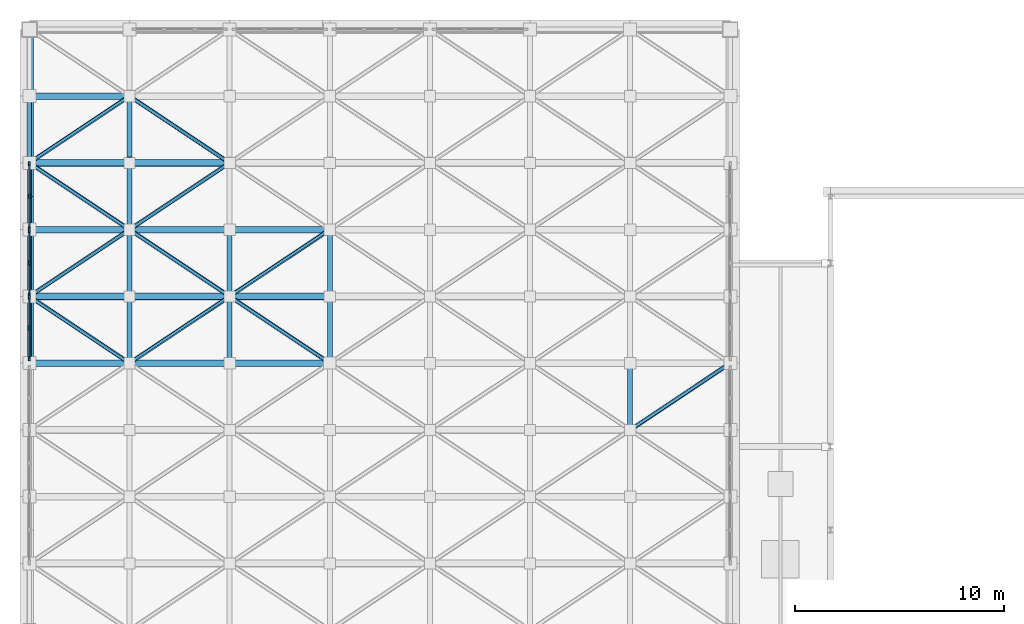
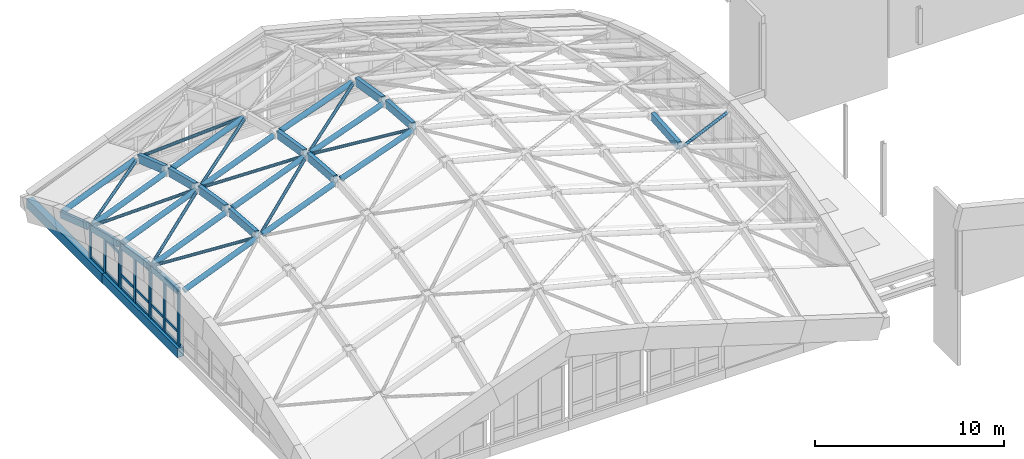
# One storey, part 5 of 14: 61 members, 2 beams, 3 elements without a shape of their own.
"""IFC4 building model written with IfcOpenShell, lengths in metres."""

from ifc_helpers import new_model, si_unit, direction, frame, origin, origin_2d, place, context, subcontext, project, spatial, rectangle, hollow_rectangle, hollow_circle, extrude, material, material_profile, profile_set, type_object, element, aggregate, save


model = new_model("IFC4")

# Units and contexts
model_context = context("Model", 3, precision=1e-05, world=origin(), true_north=direction((0.0, 1.0)))
body_context = subcontext(model_context, "Body", "Model", "MODEL_VIEW")
ifc_project = project(units=[si_unit("LENGTHUNIT", "METRE"), si_unit("AREAUNIT", "SQUARE_METRE"), si_unit("VOLUMEUNIT", "CUBIC_METRE"), si_unit("PLANEANGLEUNIT", "RADIAN"), si_unit("MASSUNIT", "GRAM", prefix="KILO")], contexts=[model_context])

# Site, building, storey
site_placement = place(None, origin())
site = spatial("IfcSite", under=ifc_project, at=site_placement, CompositionType="ELEMENT")
building_placement = place(site_placement, origin())
building = spatial("IfcBuilding", under=site, at=building_placement, Name="Dunescarp Central Library", CompositionType="ELEMENT")
storey_placement = place(building_placement, frame((0.0, 0.0, 31.800048828125)))
storey = spatial("IfcBuildingStorey", under=building, at=storey_placement, Name="ROOF", CompositionType="ELEMENT", Elevation=31.800048828125)

# Curtain wall, members
ifc_material_1 = material(Name="Marine-grade anodised aluminium 6063-T6", Category="aluminium")
curtain_wall_type = type_object("IfcCurtainWallType", Name="ARC-CW-CROWN", PredefinedType="NOTDEFINED", material=ifc_material_1)
curtain_wall_1_placement = place(storey_placement, origin())
curtain_wall_1 = element("IfcCurtainWall", 1, at=curtain_wall_1_placement, inside=storey, type_object=curtain_wall_type, Name="ROOF curtain wall CW-CROWN-W6", PredefinedType="NOTDEFINED")
ifc_material_profile_1 = material_profile(ifc_material_1, rectangle(XDim=0.090087890625, YDim=0.199951171875, at=origin_2d()), Name="AL 90x200")
ifc_profile_set_1 = profile_set([ifc_material_profile_1], Name="Marine-grade anodised aluminium 6063-T6")
member_type_1 = type_object("IfcMemberType", Name="ARC-CWM-200", PredefinedType="MULLION", material=ifc_profile_set_1)
member_1_placement = place(storey_placement, frame((0.0, 21.02001953125, 0.0), z_axis=(0.0, 0.0, 1.0), x_axis=(-1.0, 0.0, 0.0)))
member_1 = element("IfcMember", 2, at=member_1_placement, type_object=member_type_1, Name="CW-CROWN-W6 mullion 1", PredefinedType="MULLION", context=body_context, shape_type="SweptSolid", body=[
    extrude(rectangle(XDim=0.090087890625, YDim=0.199951171875, at=origin_2d()), origin(), (0.0, 0.0, 1.0), 3.56005859375),
])
member_2_placement = place(storey_placement, frame((0.0, 22.487548828125, 0.0), z_axis=(0.0, 0.0, 1.0), x_axis=(-1.0, 0.0, 0.0)))
member_2 = element("IfcMember", 3, at=member_2_placement, type_object=member_type_1, Name="CW-CROWN-W6 mullion 2", PredefinedType="MULLION", context=body_context, shape_type="SweptSolid", body=[
    extrude(rectangle(XDim=0.090087890625, YDim=0.199951171875, at=origin_2d()), origin(), (0.0, 0.0, 1.0), 3.56005859375),
])
member_3_placement = place(storey_placement, frame((0.0, 23.955078125, 0.0), z_axis=(0.0, 0.0, 1.0), x_axis=(-1.0, 0.0, 0.0)))
member_3 = element("IfcMember", 4, at=member_3_placement, type_object=member_type_1, Name="CW-CROWN-W6 mullion 3", PredefinedType="MULLION", context=body_context, shape_type="SweptSolid", body=[
    extrude(rectangle(XDim=0.090087890625, YDim=0.199951171875, at=origin_2d()), origin(), (0.0, 0.0, 1.0), 3.56005859375),
])

curtain_wall_2_placement = place(storey_placement, origin())
curtain_wall_2 = element("IfcCurtainWall", 5, at=curtain_wall_2_placement, inside=storey, type_object=curtain_wall_type, Name="ROOF curtain wall CW-CROWN-W7", PredefinedType="NOTDEFINED")
member_4_placement = place(storey_placement, frame((0.0, 24.044921875, 0.0), z_axis=(0.0, 0.0, 1.0), x_axis=(-1.0, 0.0, 0.0)))
member_4 = element("IfcMember", 6, at=member_4_placement, type_object=member_type_1, Name="CW-CROWN-W7 mullion 1", PredefinedType="MULLION", context=body_context, shape_type="SweptSolid", body=[
    extrude(rectangle(XDim=0.090087890625, YDim=0.199951171875, at=origin_2d()), origin(), (0.0, 0.0, 1.0), 3.0400390625),
])
member_5_placement = place(storey_placement, frame((0.0, 25.60009765625, 0.0), z_axis=(0.0, 0.0, 1.0), x_axis=(-1.0, 0.0, 0.0)))
member_5 = element("IfcMember", 7, at=member_5_placement, type_object=member_type_1, Name="CW-CROWN-W7 mullion 2", PredefinedType="MULLION", context=body_context, shape_type="SweptSolid", body=[
    extrude(rectangle(XDim=0.090087890625, YDim=0.199951171875, at=origin_2d()), origin(), (0.0, 0.0, 1.0), 3.0400390625),
])
member_6_placement = place(storey_placement, frame((0.0, 27.155029296875, 0.0), z_axis=(0.0, 0.0, 1.0), x_axis=(-1.0, 0.0, 0.0)))
member_6 = element("IfcMember", 8, at=member_6_placement, type_object=member_type_1, Name="CW-CROWN-W7 mullion 3", PredefinedType="MULLION", context=body_context, shape_type="SweptSolid", body=[
    extrude(rectangle(XDim=0.090087890625, YDim=0.199951171875, at=origin_2d()), origin(), (0.0, 0.0, 1.0), 3.0400390625),
])

curtain_wall_3_placement = place(storey_placement, origin())
curtain_wall_3 = element("IfcCurtainWall", 9, at=curtain_wall_3_placement, inside=storey, type_object=curtain_wall_type, Name="ROOF curtain wall CW-CROWN-W8", PredefinedType="NOTDEFINED")
member_7_placement = place(storey_placement, frame((0.0, 27.2451171875, 0.0), z_axis=(0.0, 0.0, 1.0), x_axis=(-1.0, 0.0, 0.0)))
member_7 = element("IfcMember", 10, at=member_7_placement, type_object=member_type_1, Name="CW-CROWN-W8 mullion 1", PredefinedType="MULLION", context=body_context, shape_type="SweptSolid", body=[
    extrude(rectangle(XDim=0.090087890625, YDim=0.199951171875, at=origin_2d()), origin(), (0.0, 0.0, 1.0), 2.239990234375),
])
member_8_placement = place(storey_placement, frame((0.0, 28.800048828125, 0.0), z_axis=(0.0, 0.0, 1.0), x_axis=(-1.0, 0.0, 0.0)))
member_8 = element("IfcMember", 11, at=member_8_placement, type_object=member_type_1, Name="CW-CROWN-W8 mullion 2", PredefinedType="MULLION", context=body_context, shape_type="SweptSolid", body=[
    extrude(rectangle(XDim=0.090087890625, YDim=0.199951171875, at=origin_2d()), origin(), (0.0, 0.0, 1.0), 2.239990234375),
])
member_9_placement = place(storey_placement, frame((0.0, 30.35498046875, 0.0), z_axis=(0.0, 0.0, 1.0), x_axis=(-1.0, 0.0, 0.0)))
member_9 = element("IfcMember", 12, at=member_9_placement, type_object=member_type_1, Name="CW-CROWN-W8 mullion 3", PredefinedType="MULLION", context=body_context, shape_type="SweptSolid", body=[
    extrude(rectangle(XDim=0.090087890625, YDim=0.199951171875, at=origin_2d()), origin(), (0.0, 0.0, 1.0), 2.239990234375),
])

# Member
ifc_material_profile_2 = material_profile(ifc_material_1, rectangle(XDim=0.080078125, YDim=0.169921875, at=origin_2d()), Name="AL 80x170")
ifc_profile_set_2 = profile_set([ifc_material_profile_2], Name="Marine-grade anodised aluminium 6063-T6")
member_type_2 = type_object("IfcMemberType", Name="ARC-CWT-170", PredefinedType="USERDEFINED", material=ifc_profile_set_2)
member_10_placement = place(storey_placement, frame((0.0, 21.06494140625, 0.0400390625), z_axis=(0.0, 1.0, 0.0), x_axis=(-1.0, 0.0, 0.0)))
member_10 = element("IfcMember", 13, at=member_10_placement, type_object=member_type_2, Name="CW-CROWN-W6 transom 1.1", ObjectType="TRANSOM", PredefinedType="USERDEFINED", context=body_context, shape_type="SweptSolid", body=[
    extrude(rectangle(XDim=0.080078125, YDim=0.169921875, at=origin_2d()), origin(), (0.0, 0.0, 1.0), 1.37744140625),
])

member_11_placement = place(storey_placement, frame((0.0, 21.06494140625, 0.89990234375), z_axis=(0.0, 1.0, 0.0), x_axis=(-1.0, 0.0, 0.0)))
member_11 = element("IfcMember", 14, at=member_11_placement, type_object=member_type_2, Name="CW-CROWN-W6 transom 1.2", ObjectType="TRANSOM", PredefinedType="USERDEFINED", context=body_context, shape_type="SweptSolid", body=[
    extrude(rectangle(XDim=0.080078125, YDim=0.169921875, at=origin_2d()), origin(), (0.0, 0.0, 1.0), 1.37744140625),
])

member_12_placement = place(storey_placement, frame((0.0, 21.06494140625, 3.52001953125), z_axis=(0.0, 1.0, 0.0), x_axis=(-1.0, 0.0, 0.0)))
member_12 = element("IfcMember", 15, at=member_12_placement, type_object=member_type_2, Name="CW-CROWN-W6 transom 1.3", ObjectType="TRANSOM", PredefinedType="USERDEFINED", context=body_context, shape_type="SweptSolid", body=[
    extrude(rectangle(XDim=0.080078125, YDim=0.169921875, at=origin_2d()), origin(), (0.0, 0.0, 1.0), 1.37744140625),
])

member_13_placement = place(storey_placement, frame((0.0, 22.532470703125, 0.0400390625), z_axis=(0.0, 1.0, 0.0), x_axis=(-1.0, 0.0, 0.0)))
member_13 = element("IfcMember", 16, at=member_13_placement, type_object=member_type_2, Name="CW-CROWN-W6 transom 2.1", ObjectType="TRANSOM", PredefinedType="USERDEFINED", context=body_context, shape_type="SweptSolid", body=[
    extrude(rectangle(XDim=0.080078125, YDim=0.169921875, at=origin_2d()), origin(), (0.0, 0.0, 1.0), 1.37744140625),
])

member_14_placement = place(storey_placement, frame((0.0, 22.532470703125, 0.89990234375), z_axis=(0.0, 1.0, 0.0), x_axis=(-1.0, 0.0, 0.0)))
member_14 = element("IfcMember", 17, at=member_14_placement, type_object=member_type_2, Name="CW-CROWN-W6 transom 2.2", ObjectType="TRANSOM", PredefinedType="USERDEFINED", context=body_context, shape_type="SweptSolid", body=[
    extrude(rectangle(XDim=0.080078125, YDim=0.169921875, at=origin_2d()), origin(), (0.0, 0.0, 1.0), 1.37744140625),
])

member_15_placement = place(storey_placement, frame((0.0, 22.532470703125, 3.52001953125), z_axis=(0.0, 1.0, 0.0), x_axis=(-1.0, 0.0, 0.0)))
member_15 = element("IfcMember", 18, at=member_15_placement, type_object=member_type_2, Name="CW-CROWN-W6 transom 2.3", ObjectType="TRANSOM", PredefinedType="USERDEFINED", context=body_context, shape_type="SweptSolid", body=[
    extrude(rectangle(XDim=0.080078125, YDim=0.169921875, at=origin_2d()), origin(), (0.0, 0.0, 1.0), 1.37744140625),
])

aggregate(curtain_wall_1, [member_1, member_2, member_3, member_10, member_11, member_12, member_13, member_14, member_15])

member_16_placement = place(storey_placement, frame((0.0, 24.090087890625, 0.0400390625), z_axis=(0.0, 1.0, 0.0), x_axis=(-1.0, 0.0, 0.0)))
member_16 = element("IfcMember", 19, at=member_16_placement, type_object=member_type_2, Name="CW-CROWN-W7 transom 1.1", ObjectType="TRANSOM", PredefinedType="USERDEFINED", context=body_context, shape_type="SweptSolid", body=[
    extrude(rectangle(XDim=0.080078125, YDim=0.169921875, at=origin_2d()), origin(), (0.0, 0.0, 1.0), 1.46484375),
])

member_17_placement = place(storey_placement, frame((0.0, 24.090087890625, 0.89990234375), z_axis=(0.0, 1.0, 0.0), x_axis=(-1.0, 0.0, 0.0)))
member_17 = element("IfcMember", 20, at=member_17_placement, type_object=member_type_2, Name="CW-CROWN-W7 transom 1.2", ObjectType="TRANSOM", PredefinedType="USERDEFINED", context=body_context, shape_type="SweptSolid", body=[
    extrude(rectangle(XDim=0.080078125, YDim=0.169921875, at=origin_2d()), origin(), (0.0, 0.0, 1.0), 1.46484375),
])

member_18_placement = place(storey_placement, frame((0.0, 24.090087890625, 3.0), z_axis=(0.0, 1.0, 0.0), x_axis=(-1.0, 0.0, 0.0)))
member_18 = element("IfcMember", 21, at=member_18_placement, type_object=member_type_2, Name="CW-CROWN-W7 transom 1.3", ObjectType="TRANSOM", PredefinedType="USERDEFINED", context=body_context, shape_type="SweptSolid", body=[
    extrude(rectangle(XDim=0.080078125, YDim=0.169921875, at=origin_2d()), origin(), (0.0, 0.0, 1.0), 1.46484375),
])

member_19_placement = place(storey_placement, frame((0.0, 25.64501953125, 0.0400390625), z_axis=(0.0, 1.0, 0.0), x_axis=(-1.0, 0.0, 0.0)))
member_19 = element("IfcMember", 22, at=member_19_placement, type_object=member_type_2, Name="CW-CROWN-W7 transom 2.1", ObjectType="TRANSOM", PredefinedType="USERDEFINED", context=body_context, shape_type="SweptSolid", body=[
    extrude(rectangle(XDim=0.080078125, YDim=0.169921875, at=origin_2d()), origin(), (0.0, 0.0, 1.0), 1.465087890625),
])

member_20_placement = place(storey_placement, frame((0.0, 25.64501953125, 0.89990234375), z_axis=(0.0, 1.0, 0.0), x_axis=(-1.0, 0.0, 0.0)))
member_20 = element("IfcMember", 23, at=member_20_placement, type_object=member_type_2, Name="CW-CROWN-W7 transom 2.2", ObjectType="TRANSOM", PredefinedType="USERDEFINED", context=body_context, shape_type="SweptSolid", body=[
    extrude(rectangle(XDim=0.080078125, YDim=0.169921875, at=origin_2d()), origin(), (0.0, 0.0, 1.0), 1.465087890625),
])

member_21_placement = place(storey_placement, frame((0.0, 25.64501953125, 3.0), z_axis=(0.0, 1.0, 0.0), x_axis=(-1.0, 0.0, 0.0)))
member_21 = element("IfcMember", 24, at=member_21_placement, type_object=member_type_2, Name="CW-CROWN-W7 transom 2.3", ObjectType="TRANSOM", PredefinedType="USERDEFINED", context=body_context, shape_type="SweptSolid", body=[
    extrude(rectangle(XDim=0.080078125, YDim=0.169921875, at=origin_2d()), origin(), (0.0, 0.0, 1.0), 1.465087890625),
])

aggregate(curtain_wall_2, [member_4, member_5, member_6, member_16, member_17, member_18, member_19, member_20, member_21])

member_22_placement = place(storey_placement, frame((0.0, 27.2900390625, 0.0400390625), z_axis=(0.0, 1.0, 0.0), x_axis=(-1.0, 0.0, 0.0)))
member_22 = element("IfcMember", 25, at=member_22_placement, type_object=member_type_2, Name="CW-CROWN-W8 transom 1.1", ObjectType="TRANSOM", PredefinedType="USERDEFINED", context=body_context, shape_type="SweptSolid", body=[
    extrude(rectangle(XDim=0.080078125, YDim=0.169921875, at=origin_2d()), origin(), (0.0, 0.0, 1.0), 1.46484375),
])

member_23_placement = place(storey_placement, frame((0.0, 27.2900390625, 2.199951171875), z_axis=(0.0, 1.0, 0.0), x_axis=(-1.0, 0.0, 0.0)))
member_23 = element("IfcMember", 26, at=member_23_placement, type_object=member_type_2, Name="CW-CROWN-W8 transom 1.2", ObjectType="TRANSOM", PredefinedType="USERDEFINED", context=body_context, shape_type="SweptSolid", body=[
    extrude(rectangle(XDim=0.080078125, YDim=0.169921875, at=origin_2d()), origin(), (0.0, 0.0, 1.0), 1.46484375),
])

member_24_placement = place(storey_placement, frame((0.0, 28.844970703125, 0.0400390625), z_axis=(0.0, 1.0, 0.0), x_axis=(-1.0, 0.0, 0.0)))
member_24 = element("IfcMember", 27, at=member_24_placement, type_object=member_type_2, Name="CW-CROWN-W8 transom 2.1", ObjectType="TRANSOM", PredefinedType="USERDEFINED", context=body_context, shape_type="SweptSolid", body=[
    extrude(rectangle(XDim=0.080078125, YDim=0.169921875, at=origin_2d()), origin(), (0.0, 0.0, 1.0), 1.465087890625),
])

member_25_placement = place(storey_placement, frame((0.0, 28.844970703125, 2.199951171875), z_axis=(0.0, 1.0, 0.0), x_axis=(-1.0, 0.0, 0.0)))
member_25 = element("IfcMember", 28, at=member_25_placement, type_object=member_type_2, Name="CW-CROWN-W8 transom 2.2", ObjectType="TRANSOM", PredefinedType="USERDEFINED", context=body_context, shape_type="SweptSolid", body=[
    extrude(rectangle(XDim=0.080078125, YDim=0.169921875, at=origin_2d()), origin(), (0.0, 0.0, 1.0), 1.465087890625),
])

aggregate(curtain_wall_3, [member_7, member_8, member_9, member_22, member_23, member_24, member_25])

# Members
ifc_material_2 = material(Name="Steel S355J0", Category="steel")
ifc_material_profile_3 = material_profile(ifc_material_2, hollow_circle(Radius=0.161865234375, WallThickness=0.012451171875, at=origin_2d()), Name="CHS 323.9x12.5")
ifc_profile_set_3 = profile_set([ifc_material_profile_3], Name="Steel S355J0")
member_type_3 = type_object("IfcMemberType", Name="STR-GS-ARCH", PredefinedType="USERDEFINED", material=ifc_profile_set_3)
member_26_placement = place(storey_placement, frame((0.18505859375, 20.800048828125, 3.635009765625), z_axis=(0.926438199705, 0.0, 0.376446891509), x_axis=(0.0, 1.0, 0.0)))
element("IfcMember", 29, at=member_26_placement, inside=storey, type_object=member_type_3, Name="Gridshell arch rib GS-A-005", ObjectType="ARCH_SEGMENT", PredefinedType="USERDEFINED", context=body_context, shape_type="SweptSolid", body=[
    extrude(hollow_circle(Radius=0.161865234375, WallThickness=0.012451171875, at=origin_2d()), origin(), (0.0, 0.0, 1.0), 4.78173828125),
])
member_27_placement = place(storey_placement, frame((4.986083984375, 20.800048828125, 5.583984375), z_axis=(0.929863257508, 0.0, 0.36790531708), x_axis=(0.0, 1.0, 0.0)))
element("IfcMember", 30, at=member_27_placement, inside=storey, type_object=member_type_3, Name="Gridshell arch rib GS-A-105", ObjectType="ARCH_SEGMENT", PredefinedType="USERDEFINED", context=body_context, shape_type="SweptSolid", body=[
    extrude(hollow_circle(Radius=0.161865234375, WallThickness=0.012451171875, at=origin_2d()), origin(), (0.0, 0.0, 1.0), 4.761962890625),
])
member_28_placement = place(storey_placement, frame((9.7880859375, 20.800048828125, 7.47900390625), z_axis=(0.939561575961, 0.0, 0.342379971637), x_axis=(0.0, 1.0, 0.0)))
element("IfcMember", 31, at=member_28_placement, inside=storey, type_object=member_type_3, Name="Gridshell arch rib GS-A-205", ObjectType="ARCH_SEGMENT", PredefinedType="USERDEFINED", context=body_context, shape_type="SweptSolid", body=[
    extrude(hollow_circle(Radius=0.161865234375, WallThickness=0.012451171875, at=origin_2d()), origin(), (0.0, 0.0, 1.0), 4.70849609375),
])
member_29_placement = place(storey_placement, frame((0.18505859375, 24.0, 3.39501953125), z_axis=(0.926438199705, 0.0, 0.376446891509), x_axis=(0.0, 1.0, 0.0)))
element("IfcMember", 32, at=member_29_placement, inside=storey, type_object=member_type_3, Name="Gridshell arch rib GS-A-006", ObjectType="ARCH_SEGMENT", PredefinedType="USERDEFINED", context=body_context, shape_type="SweptSolid", body=[
    extrude(hollow_circle(Radius=0.161865234375, WallThickness=0.012451171875, at=origin_2d()), origin(), (0.0, 0.0, 1.0), 4.78173828125),
])
member_30_placement = place(storey_placement, frame((4.986083984375, 24.0, 5.343994140625), z_axis=(0.929863257508, 0.0, 0.36790531708), x_axis=(0.0, 1.0, 0.0)))
element("IfcMember", 33, at=member_30_placement, inside=storey, type_object=member_type_3, Name="Gridshell arch rib GS-A-106", ObjectType="ARCH_SEGMENT", PredefinedType="USERDEFINED", context=body_context, shape_type="SweptSolid", body=[
    extrude(hollow_circle(Radius=0.161865234375, WallThickness=0.012451171875, at=origin_2d()), origin(), (0.0, 0.0, 1.0), 4.761962890625),
])
member_31_placement = place(storey_placement, frame((9.7880859375, 24.0, 7.239013671875), z_axis=(0.939578255319, 0.0, 0.342334196557), x_axis=(0.0, 1.0, 0.0)))
element("IfcMember", 34, at=member_31_placement, inside=storey, type_object=member_type_3, Name="Gridshell arch rib GS-A-206", ObjectType="ARCH_SEGMENT", PredefinedType="USERDEFINED", context=body_context, shape_type="SweptSolid", body=[
    extrude(hollow_circle(Radius=0.161865234375, WallThickness=0.012451171875, at=origin_2d()), origin(), (0.0, 0.0, 1.0), 4.708251953125),
])
member_32_placement = place(storey_placement, frame((0.18505859375, 27.199951171875, 2.875), z_axis=(0.926438199705, 0.0, 0.376446891509), x_axis=(0.0, 1.0, 0.0)))
element("IfcMember", 35, at=member_32_placement, inside=storey, type_object=member_type_3, Name="Gridshell arch rib GS-A-007", ObjectType="ARCH_SEGMENT", PredefinedType="USERDEFINED", context=body_context, shape_type="SweptSolid", body=[
    extrude(hollow_circle(Radius=0.161865234375, WallThickness=0.012451171875, at=origin_2d()), origin(), (0.0, 0.0, 1.0), 4.78173828125),
])
member_33_placement = place(storey_placement, frame((4.986083984375, 27.199951171875, 4.823974609375), z_axis=(0.929863257508, 0.0, 0.36790531708), x_axis=(0.0, 1.0, 0.0)))
element("IfcMember", 36, at=member_33_placement, inside=storey, type_object=member_type_3, Name="Gridshell arch rib GS-A-107", ObjectType="ARCH_SEGMENT", PredefinedType="USERDEFINED", context=body_context, shape_type="SweptSolid", body=[
    extrude(hollow_circle(Radius=0.161865234375, WallThickness=0.012451171875, at=origin_2d()), origin(), (0.0, 0.0, 1.0), 4.761962890625),
])
member_34_placement = place(storey_placement, frame((9.7880859375, 27.199951171875, 6.718994140625), z_axis=(0.939561575961, 0.0, 0.342379971637), x_axis=(0.0, 1.0, 0.0)))
element("IfcMember", 37, at=member_34_placement, inside=storey, type_object=member_type_3, Name="Gridshell arch rib GS-A-207", ObjectType="ARCH_SEGMENT", PredefinedType="USERDEFINED", context=body_context, shape_type="SweptSolid", body=[
    extrude(hollow_circle(Radius=0.161865234375, WallThickness=0.012451171875, at=origin_2d()), origin(), (0.0, 0.0, 1.0), 4.70849609375),
])
member_35_placement = place(storey_placement, frame((0.18505859375, 30.39990234375, 2.074951171875), z_axis=(0.926438199705, 0.0, 0.376446891509), x_axis=(0.0, 1.0, 0.0)))
element("IfcMember", 38, at=member_35_placement, inside=storey, type_object=member_type_3, Name="Gridshell arch rib GS-A-008", ObjectType="ARCH_SEGMENT", PredefinedType="USERDEFINED", context=body_context, shape_type="SweptSolid", body=[
    extrude(hollow_circle(Radius=0.161865234375, WallThickness=0.012451171875, at=origin_2d()), origin(), (0.0, 0.0, 1.0), 4.78173828125),
])
member_36_placement = place(storey_placement, frame((4.986083984375, 30.39990234375, 4.02392578125), z_axis=(0.929863257508, 0.0, 0.36790531708), x_axis=(0.0, 1.0, 0.0)))
element("IfcMember", 39, at=member_36_placement, inside=storey, type_object=member_type_3, Name="Gridshell arch rib GS-A-108", ObjectType="ARCH_SEGMENT", PredefinedType="USERDEFINED", context=body_context, shape_type="SweptSolid", body=[
    extrude(hollow_circle(Radius=0.161865234375, WallThickness=0.012451171875, at=origin_2d()), origin(), (0.0, 0.0, 1.0), 4.761962890625),
])
member_37_placement = place(storey_placement, frame((0.18505859375, 33.60009765625, 0.994873046875), z_axis=(0.926438199705, 0.0, 0.376446891509), x_axis=(0.0, 1.0, 0.0)))
element("IfcMember", 40, at=member_37_placement, inside=storey, type_object=member_type_3, Name="Gridshell arch rib GS-A-009", ObjectType="ARCH_SEGMENT", PredefinedType="USERDEFINED", context=body_context, shape_type="SweptSolid", body=[
    extrude(hollow_circle(Radius=0.161865234375, WallThickness=0.012451171875, at=origin_2d()), origin(), (0.0, 0.0, 1.0), 4.78173828125),
])
ifc_material_profile_4 = material_profile(ifc_material_2, hollow_circle(Radius=0.096923828125, WallThickness=0.008056640625, at=origin_2d()), Name="CHS 193.7x8")
ifc_profile_set_4 = profile_set([ifc_material_profile_4], Name="Steel S355J0")
member_type_4 = type_object("IfcMemberType", Name="STR-GS-DIAG", PredefinedType="BRACE", material=ifc_profile_set_4)
member_38_placement = place(storey_placement, frame((4.64404296875, 20.904052734375, 5.43896484375), z_axis=(-0.777869474229, 0.518565544616, -0.354977262651), x_axis=(-0.55468975103, -0.832057257706, 0.0)))
element("IfcMember", 41, at=member_38_placement, inside=storey, type_object=member_type_4, Name="Gridshell diagonal GS-D-005", PredefinedType="BRACE", context=body_context, shape_type="SweptSolid", body=[
    extrude(hollow_circle(Radius=0.096923828125, WallThickness=0.008056640625, at=origin_2d()), origin(), (0.0, 0.0, 1.0), 5.76953125),
])
member_39_placement = place(storey_placement, frame((0.162109375, 24.10791015625, 3.367919921875), z_axis=(0.807569496367, 0.538423714291, 0.240689452253), x_axis=(-0.554731615691, 0.83202934717, 0.0)))
element("IfcMember", 42, at=member_39_placement, inside=storey, type_object=member_type_4, Name="Gridshell diagonal GS-D-006", PredefinedType="BRACE", context=body_context, shape_type="SweptSolid", body=[
    extrude(hollow_circle(Radius=0.096923828125, WallThickness=0.008056640625, at=origin_2d()), origin(), (0.0, 0.0, 1.0), 5.542236328125),
])
member_40_placement = place(storey_placement, frame((4.64990234375, 27.300048828125, 4.6640625), z_axis=(-0.751078064629, 0.500718709752, -0.430305141193), x_axis=(-0.554700196225, -0.832050294338, 0.0)))
element("IfcMember", 43, at=member_40_placement, inside=storey, type_object=member_type_4, Name="Gridshell diagonal GS-D-007", PredefinedType="BRACE", context=body_context, shape_type="SweptSolid", body=[
    extrude(hollow_circle(Radius=0.096923828125, WallThickness=0.008056640625, at=origin_2d()), origin(), (0.0, 0.0, 1.0), 5.991455078125),
])
member_41_placement = place(storey_placement, frame((0.1650390625, 30.510009765625, 2.030029296875), z_axis=(0.822755171244, 0.548503447496, 0.149056688132), x_axis=(-0.554700196225, 0.832050294338, 0.0)))
element("IfcMember", 44, at=member_41_placement, inside=storey, type_object=member_type_4, Name="Gridshell diagonal GS-D-008", PredefinedType="BRACE", context=body_context, shape_type="SweptSolid", body=[
    extrude(hollow_circle(Radius=0.096923828125, WallThickness=0.008056640625, at=origin_2d()), origin(), (0.0, 0.0, 1.0), 5.432861328125),
])
member_42_placement = place(storey_placement, frame((4.9599609375, 20.906982421875, 5.56494140625), z_axis=(0.799619561995, 0.532978030668, 0.27666401085), x_axis=(-0.554626942843, 0.832099125269, 0.0)))
element("IfcMember", 45, at=member_42_placement, inside=storey, type_object=member_type_4, Name="Gridshell diagonal GS-D-105", PredefinedType="BRACE", context=body_context, shape_type="SweptSolid", body=[
    extrude(hollow_circle(Radius=0.096923828125, WallThickness=0.008056640625, at=origin_2d()), origin(), (0.0, 0.0, 1.0), 5.6025390625),
])
member_43_placement = place(storey_placement, frame((9.447021484375, 24.10205078125, 7.093017578125), z_axis=(-0.76727483685, 0.511474876303, -0.386888582988), x_axis=(-0.554668902414, -0.832071156029, 0.0)))
element("IfcMember", 46, at=member_43_placement, inside=storey, type_object=member_type_4, Name="Gridshell diagonal GS-D-106", PredefinedType="BRACE", context=body_context, shape_type="SweptSolid", body=[
    extrude(hollow_circle(Radius=0.096923828125, WallThickness=0.008056640625, at=origin_2d()), origin(), (0.0, 0.0, 1.0), 5.857177734375),
])
member_44_placement = place(storey_placement, frame((4.962890625, 27.30908203125, 4.786865234375), z_axis=(0.817368449449, 0.544763627719, 0.187460416514), x_axis=(-0.554595407517, 0.832120143946, 0.0)))
element("IfcMember", 47, at=member_44_placement, inside=storey, type_object=member_type_4, Name="Gridshell diagonal GS-D-107", PredefinedType="BRACE", context=body_context, shape_type="SweptSolid", body=[
    extrude(hollow_circle(Radius=0.096923828125, WallThickness=0.008056640625, at=origin_2d()), origin(), (0.0, 0.0, 1.0), 5.473876953125),
])
member_45_placement = place(storey_placement, frame((9.451904296875, 30.4990234375, 5.758056640625), z_axis=(-0.739286560301, 0.492750842664, -0.45896839631), x_axis=(-0.554616921801, -0.832105804602, 0.0)))
element("IfcMember", 48, at=member_45_placement, inside=storey, type_object=member_type_4, Name="Gridshell diagonal GS-D-108", PredefinedType="BRACE", context=body_context, shape_type="SweptSolid", body=[
    extrude(hollow_circle(Radius=0.096923828125, WallThickness=0.008056640625, at=origin_2d()), origin(), (0.0, 0.0, 1.0), 6.09228515625),
])
member_46_placement = place(storey_placement, frame((14.242919921875, 20.905029296875, 9.094970703125), z_axis=(-0.78659249364, 0.524295105562, -0.326170034235), x_axis=(-0.554627038534, -0.832099061487, 0.0)))
element("IfcMember", 49, at=member_46_placement, inside=storey, type_object=member_type_4, Name="Gridshell diagonal GS-D-205", PredefinedType="BRACE", context=body_context, shape_type="SweptSolid", body=[
    extrude(hollow_circle(Radius=0.096923828125, WallThickness=0.008056640625, at=origin_2d()), origin(), (0.0, 0.0, 1.0), 5.702880859375),
])
member_47_placement = place(storey_placement, frame((9.762939453125, 24.10888671875, 7.2119140625), z_axis=(0.813820314137, 0.542443257513, 0.208450974275), x_axis=(-0.5546268469, 0.832099189218, 0.0)))
element("IfcMember", 50, at=member_47_placement, inside=storey, type_object=member_type_4, Name="Gridshell diagonal GS-D-206", PredefinedType="BRACE", context=body_context, shape_type="SweptSolid", body=[
    extrude(hollow_circle(Radius=0.096923828125, WallThickness=0.008056640625, at=origin_2d()), origin(), (0.0, 0.0, 1.0), 5.49755859375),
])
member_48_placement = place(storey_placement, frame((28.962890625, 17.7080078125, 4.758056640625), z_axis=(0.813373195939, 0.542455920592, -0.210156176076), x_axis=(-0.554846856086, 0.831952502425, 0.0)))
element("IfcMember", 51, at=member_48_placement, inside=storey, type_object=member_type_4, Name="Gridshell diagonal GS-D-604", PredefinedType="BRACE", context=body_context, shape_type="SweptSolid", body=[
    extrude(hollow_circle(Radius=0.096923828125, WallThickness=0.008056640625, at=origin_2d()), origin(), (0.0, 0.0, 1.0), 5.500732421875),
])
ifc_material_3 = material(Name="Glulam GL28h", Category="wood")
ifc_material_profile_5 = material_profile(ifc_material_3, rectangle(XDim=0.239990234375, YDim=0.52001953125, at=origin_2d()), Name="GL28h 240x520")
ifc_profile_set_5 = profile_set([ifc_material_profile_5], Name="Glulam GL28h")
member_type_5 = type_object("IfcMemberType", Name="STR-GS-GLULAM", PredefinedType="CHORD", material=ifc_profile_set_5)
member_49_placement = place(storey_placement, frame((4.800048828125, 20.9990234375, 5.494873046875), z_axis=(0.0, 0.997204329709, -0.074722987153), x_axis=(-1.0, 0.0, 0.0)))
element("IfcMember", 52, at=member_49_placement, inside=storey, type_object=member_type_5, Name="Gridshell glulam rib GS-T-105", PredefinedType="CHORD", context=body_context, shape_type="SweptSolid", body=[
    extrude(rectangle(XDim=0.239990234375, YDim=0.52001953125, at=origin_2d()), origin(), (0.0, 0.0, 1.0), 2.809814453125),
])
member_50_placement = place(storey_placement, frame((4.800048828125, 24.197021484375, 5.238037109375), z_axis=(0.0, 0.987047465307, -0.160428492578), x_axis=(-1.0, 0.0, 0.0)))
element("IfcMember", 53, at=member_50_placement, inside=storey, type_object=member_type_5, Name="Gridshell glulam rib GS-T-106", PredefinedType="CHORD", context=body_context, shape_type="SweptSolid", body=[
    extrude(rectangle(XDim=0.239990234375, YDim=0.52001953125, at=origin_2d()), origin(), (0.0, 0.0, 1.0), 2.8427734375),
])
member_51_placement = place(storey_placement, frame((4.800048828125, 27.39404296875, 4.700927734375), z_axis=(0.0, 0.970231625732, -0.242178843895), x_axis=(-1.0, 0.0, 0.0)))
element("IfcMember", 54, at=member_51_placement, inside=storey, type_object=member_type_5, Name="Gridshell glulam rib GS-T-107", PredefinedType="CHORD", context=body_context, shape_type="SweptSolid", body=[
    extrude(rectangle(XDim=0.239990234375, YDim=0.52001953125, at=origin_2d()), origin(), (0.0, 0.0, 1.0), 2.898193359375),
])
member_52_placement = place(storey_placement, frame((4.800048828125, 30.589111328125, 3.885986328125), z_axis=(0.0, 0.947512768906, -0.319717926867), x_axis=(-1.0, 0.0, 0.0)))
element("IfcMember", 55, at=member_52_placement, inside=storey, type_object=member_type_5, Name="Gridshell glulam rib GS-T-108", PredefinedType="CHORD", context=body_context, shape_type="SweptSolid", body=[
    extrude(rectangle(XDim=0.239990234375, YDim=0.52001953125, at=origin_2d()), origin(), (0.0, 0.0, 1.0), 2.97802734375),
])
member_53_placement = place(storey_placement, frame((9.60009765625, 20.9990234375, 7.39501953125), z_axis=(0.0, 0.997204329709, -0.074722987153), x_axis=(-1.0, 0.0, 0.0)))
element("IfcMember", 56, at=member_53_placement, inside=storey, type_object=member_type_5, Name="Gridshell glulam rib GS-T-205", PredefinedType="CHORD", context=body_context, shape_type="SweptSolid", body=[
    extrude(rectangle(XDim=0.239990234375, YDim=0.52001953125, at=origin_2d()), origin(), (0.0, 0.0, 1.0), 2.809814453125),
])
member_54_placement = place(storey_placement, frame((9.60009765625, 24.197021484375, 7.137939453125), z_axis=(0.0, 0.987047465307, -0.160428492578), x_axis=(-1.0, 0.0, 0.0)))
element("IfcMember", 57, at=member_54_placement, inside=storey, type_object=member_type_5, Name="Gridshell glulam rib GS-T-206", PredefinedType="CHORD", context=body_context, shape_type="SweptSolid", body=[
    extrude(rectangle(XDim=0.239990234375, YDim=0.52001953125, at=origin_2d()), origin(), (0.0, 0.0, 1.0), 2.8427734375),
])
member_55_placement = place(storey_placement, frame((14.39990234375, 20.9990234375, 9.14501953125), z_axis=(0.0, 0.997204329709, -0.074722987153), x_axis=(-1.0, 0.0, 0.0)))
element("IfcMember", 58, at=member_55_placement, inside=storey, type_object=member_type_5, Name="Gridshell glulam rib GS-T-305", PredefinedType="CHORD", context=body_context, shape_type="SweptSolid", body=[
    extrude(rectangle(XDim=0.239990234375, YDim=0.52001953125, at=origin_2d()), origin(), (0.0, 0.0, 1.0), 2.809814453125),
])
member_56_placement = place(storey_placement, frame((14.39990234375, 24.197021484375, 8.887939453125), z_axis=(0.0, 0.987047465307, -0.160428492578), x_axis=(-1.0, 0.0, 0.0)))
element("IfcMember", 59, at=member_56_placement, inside=storey, type_object=member_type_5, Name="Gridshell glulam rib GS-T-306", PredefinedType="CHORD", context=body_context, shape_type="SweptSolid", body=[
    extrude(rectangle(XDim=0.239990234375, YDim=0.52001953125, at=origin_2d()), origin(), (0.0, 0.0, 1.0), 2.8427734375),
])
member_57_placement = place(storey_placement, frame((28.800048828125, 17.799072265625, 4.81494140625), z_axis=(0.0, 0.997204329709, 0.074722987153), x_axis=(-1.0, 0.0, 0.0)))
element("IfcMember", 60, at=member_57_placement, inside=storey, type_object=member_type_5, Name="Gridshell glulam rib GS-T-604", PredefinedType="CHORD", context=body_context, shape_type="SweptSolid", body=[
    extrude(rectangle(XDim=0.239990234375, YDim=0.52001953125, at=origin_2d()), origin(), (0.0, 0.0, 1.0), 2.809814453125),
])
ifc_material_profile_6 = material_profile(ifc_material_3, rectangle(XDim=0.199951171875, YDim=0.39990234375, at=origin_2d()), Name="GL28h 200x400")
ifc_profile_set_6 = profile_set([ifc_material_profile_6], Name="Glulam GL28h")
member_type_6 = type_object("IfcMemberType", Name="STR-GS-GLULAM2", PredefinedType="CHORD", material=ifc_profile_set_6)
member_58_placement = place(storey_placement, frame((0.0, 20.9990234375, 3.544921875), z_axis=(0.0, 0.997204329709, -0.074722987153), x_axis=(-1.0, 0.0, 0.0)))
element("IfcMember", 61, at=member_58_placement, inside=storey, type_object=member_type_6, Name="Gridshell glulam rib GS-T-005", PredefinedType="CHORD", context=body_context, shape_type="SweptSolid", body=[
    extrude(rectangle(XDim=0.199951171875, YDim=0.39990234375, at=origin_2d()), origin(), (0.0, 0.0, 1.0), 2.809814453125),
])
member_59_placement = place(storey_placement, frame((0.0, 24.197021484375, 3.287841796875), z_axis=(0.0, 0.987061061486, -0.160344818741), x_axis=(-1.0, 0.0, 0.0)))
element("IfcMember", 62, at=member_59_placement, inside=storey, type_object=member_type_6, Name="Gridshell glulam rib GS-T-006", PredefinedType="CHORD", context=body_context, shape_type="SweptSolid", body=[
    extrude(rectangle(XDim=0.199951171875, YDim=0.39990234375, at=origin_2d()), origin(), (0.0, 0.0, 1.0), 2.8427734375),
])
member_60_placement = place(storey_placement, frame((0.0, 27.39404296875, 2.7509765625), z_axis=(0.0, 0.970231625732, -0.242178843895), x_axis=(-1.0, 0.0, 0.0)))
element("IfcMember", 63, at=member_60_placement, inside=storey, type_object=member_type_6, Name="Gridshell glulam rib GS-T-007", PredefinedType="CHORD", context=body_context, shape_type="SweptSolid", body=[
    extrude(rectangle(XDim=0.199951171875, YDim=0.39990234375, at=origin_2d()), origin(), (0.0, 0.0, 1.0), 2.898193359375),
])
member_61_placement = place(storey_placement, frame((0.0, 30.589111328125, 1.93603515625), z_axis=(0.0, 0.947512768906, -0.319717926867), x_axis=(-1.0, 0.0, 0.0)))
element("IfcMember", 64, at=member_61_placement, inside=storey, type_object=member_type_6, Name="Gridshell glulam rib GS-T-008", PredefinedType="CHORD", context=body_context, shape_type="SweptSolid", body=[
    extrude(rectangle(XDim=0.199951171875, YDim=0.39990234375, at=origin_2d()), origin(), (0.0, 0.0, 1.0), 2.97802734375),
])

# Beams
ifc_material_profile_7 = material_profile(ifc_material_2, hollow_rectangle(XDim=0.39990234375, YDim=0.60009765625, WallThickness=0.02001953125, at=origin_2d()), Name="RHS 600x400x20")
ifc_profile_set_7 = profile_set([ifc_material_profile_7], Name="Steel S355J0")
beam_type = type_object("IfcBeamType", Name="STR-SP-GRB1", PredefinedType="SPANDREL", material=ifc_profile_set_7)
for number, where, z_axis, x_axis, name in (
    (65, (0.0, 20.800048828125, -0.300048828125), (0.0, 1.0, 0.0), (-1.0, 0.0, 0.0), "Gridshell ring beam GRB-1 GRB1-W19"),
    (66, (0.0, 28.800048828125, -0.300048828125), (0.0, 1.0, 0.0), (-1.0, 0.0, 0.0), "Gridshell ring beam GRB-1 GRB1-W21"),
):
    element("IfcBeam", number, at=place(storey_placement, frame(where, z_axis=z_axis, x_axis=x_axis)), inside=storey, type_object=beam_type, Name=name, PredefinedType="SPANDREL", context=body_context, shape_type="SweptSolid", body=[
        extrude(hollow_rectangle(XDim=0.39990234375, YDim=0.60009765625, WallThickness=0.02001953125, at=origin_2d()), origin(), (0.0, 0.0, 1.0), 8.0),
    ])

save(model, "model.ifc")
